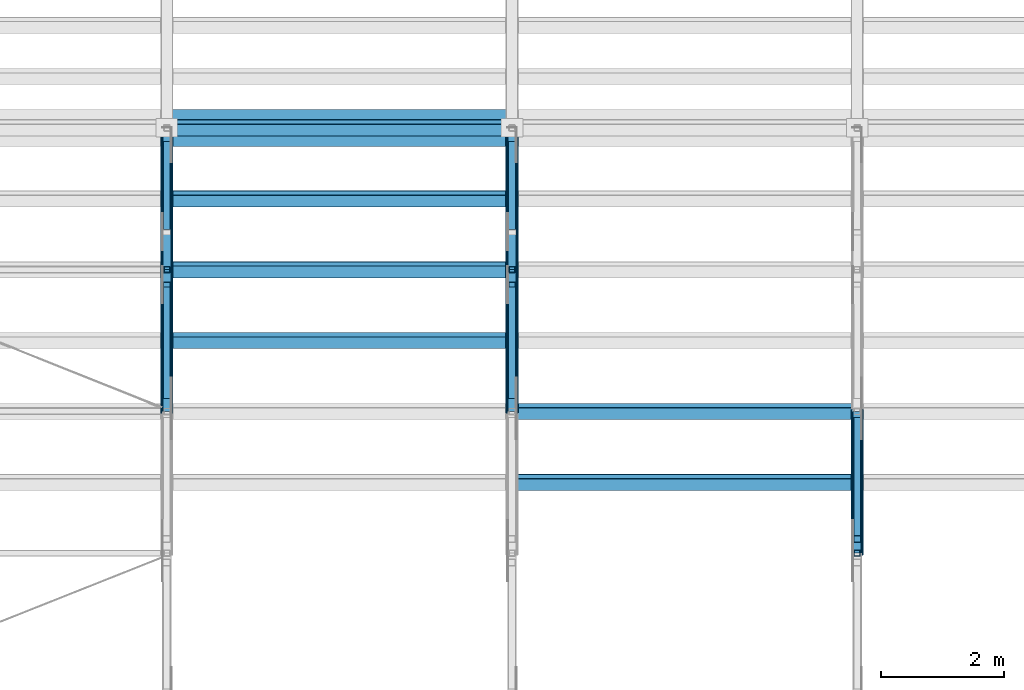
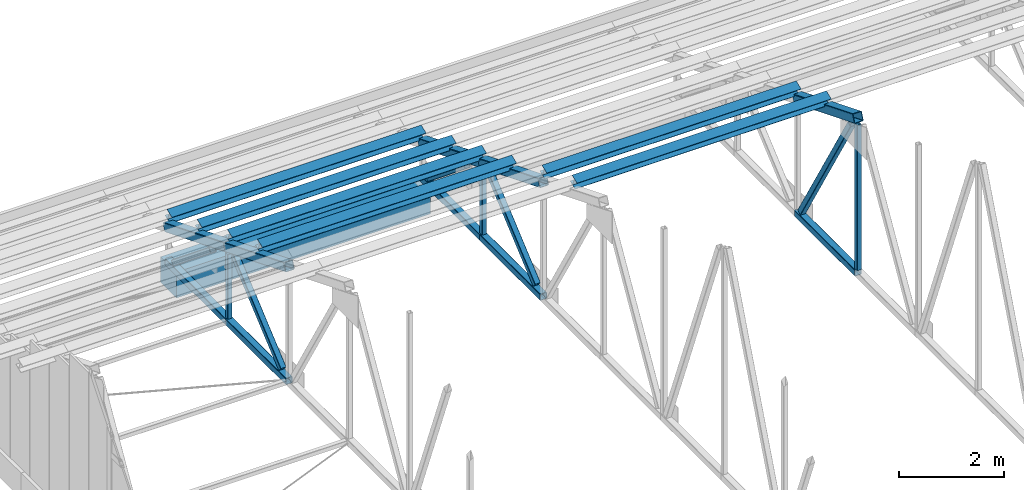
# One storey, part 13 of 71: 24 members, 1 beam.
"""IFC4 building model written with IfcOpenShell, lengths in metres."""

import ifcopenshell
import ifcopenshell.guid

model = None  # the IFC model being written
_history = None  # IfcOwnerHistory: only IFC2X3 demands one
_inside = {}  # id of a spatial element -> (the spatial element, [elements in it])
_under = {}  # id of a project, library or spatial element -> (it, [spatial elements below it])
_declared = {}  # id of a project -> (the project, [libraries it declares])
_typed = {}  # id of a type object -> (the type object, [elements of that type])
_made_of = {}  # id of a material, layer set ... -> (it, [elements and type objects made of it])


def new_model(schema):
    """Start an empty IFC model of exactly this schema.

    Asked for "IFC4X3", IfcOpenShell would pick the latest addendum, in which some entities
    have other attributes; the version numbers below select the first issue.
    IFC2X3 requires an IfcOwnerHistory on every rooted entity: one is made here for all.
    """
    global model, _history
    if schema == "IFC4X3":
        model = ifcopenshell.file(schema_version=(4, 3, 0, 0))
    else:
        model = ifcopenshell.file(schema=schema)
    _inside.clear()
    _under.clear()
    _declared.clear()
    _typed.clear()
    _made_of.clear()
    _history = None
    if model.schema == "IFC2X3":
        org = make("IfcOrganization", Name="unknown")
        user = make(
            "IfcPersonAndOrganization",
            ThePerson=make("IfcPerson", FamilyName="unknown"),
            TheOrganization=org,
        )
        app = make(
            "IfcApplication",
            ApplicationDeveloper=org,
            Version="unknown",
            ApplicationFullName="unknown",
            ApplicationIdentifier="unknown",
        )
        _history = make(
            "IfcOwnerHistory",
            OwningUser=user,
            OwningApplication=app,
            ChangeAction="ADDED",
            CreationDate=0,
        )
    return model


def make(cls, **values):
    """One entity of the class cls with the attributes given. An attribute that is None is left unset."""
    return model.create_entity(
        cls, **{name: value for name, value in values.items() if value is not None}
    )


def rooted(cls, **values):
    """An entity with a GlobalId (a new one), such as an element, a storey or a relation."""
    return make(cls, GlobalId=ifcopenshell.guid.new(), OwnerHistory=_history, **values)


def si_unit(unit_type, name, prefix=None):
    """IfcSIUnit, for example si_unit("LENGTHUNIT", "METRE", prefix="MILLI")."""
    return make("IfcSIUnit", UnitType=unit_type, Prefix=prefix, Name=name)


def assignment(units):
    """IfcUnitAssignment: the units of a project."""
    return None if units is None else make("IfcUnitAssignment", Units=units)


def point(xyz):
    """IfcCartesianPoint."""
    return None if xyz is None else make("IfcCartesianPoint", Coordinates=xyz)


def direction(xyz):
    """IfcDirection."""
    return None if xyz is None else make("IfcDirection", DirectionRatios=xyz)


def frame(location, z_axis=None, x_axis=None):
    """IfcAxis2Placement3D, a coordinate frame: its origin and axes. An axis left out is left unset."""
    return make(
        "IfcAxis2Placement3D",
        Location=point(location),
        Axis=direction(z_axis),
        RefDirection=direction(x_axis),
    )


def frame_2d(location, x_axis=None):
    """IfcAxis2Placement2D, a coordinate frame in the plane: its origin and x axis."""
    return make(
        "IfcAxis2Placement2D", Location=point(location), RefDirection=direction(x_axis)
    )


def origin():
    """The frame at (0, 0, 0) with its axes left unset."""
    return frame((0.0, 0.0, 0.0))


def origin_2d():
    """The frame at (0, 0) in the plane with its x axis left unset."""
    return frame_2d((0.0, 0.0))


def place(relative_to, where):
    """IfcLocalPlacement: puts the frame where relative to a parent placement (None: the world)."""
    return make(
        "IfcLocalPlacement", PlacementRelTo=relative_to, RelativePlacement=where
    )


def context(
    kind, dimensions, precision=None, world=None, true_north=None, identifier=None
):
    """IfcGeometricRepresentationContext, for example the 3D "Model" context."""
    return make(
        "IfcGeometricRepresentationContext",
        ContextIdentifier=identifier,
        ContextType=kind,
        CoordinateSpaceDimension=dimensions,
        Precision=precision,
        WorldCoordinateSystem=world,
        TrueNorth=true_north,
    )


def subcontext(parent, identifier, kind, view, scale=None):
    """IfcGeometricRepresentationSubContext, for example "Body" below "Model"."""
    return make(
        "IfcGeometricRepresentationSubContext",
        ContextIdentifier=identifier,
        ContextType=kind,
        ParentContext=parent,
        TargetScale=scale,
        TargetView=view,
    )


def project(units=None, contexts=None):
    """IfcProject with its units and contexts."""
    return rooted(
        "IfcProject",
        Name="project",
        RepresentationContexts=contexts,
        UnitsInContext=assignment(units),
    )


def spatial(cls, under=None, at=None, **own):
    """A site, building, storey or space (cls), placed at a placement, below another one or the project."""
    s = rooted(cls, ObjectPlacement=at, **own)
    if under is not None:
        _under.setdefault(under.id(), (under, []))[1].append(s)
    return s


def profile(cls, at=None, kind="AREA", **sizes):
    """A parametric profile (cls). Its sizes go by their IFC names, for example OverallWidth=200.0."""
    return make(cls, ProfileType=kind, Position=at, **sizes)


def rectangle(**sizes):
    """IfcRectangleProfileDef."""
    return profile("IfcRectangleProfileDef", **sizes)


def hollow_rectangle(**sizes):
    """IfcRectangleHollowProfileDef."""
    return profile("IfcRectangleHollowProfileDef", **sizes)


def i_section(**sizes):
    """IfcIShapeProfileDef."""
    return profile("IfcIShapeProfileDef", **sizes)


def extrude(swept, where, along, depth):
    """IfcExtrudedAreaSolid: the profile swept, set in the frame where, extruded along a direction by depth."""
    return make(
        "IfcExtrudedAreaSolid",
        SweptArea=swept,
        Position=where,
        ExtrudedDirection=direction(along),
        Depth=depth,
    )


def shape(context_of_items, identifier, shape_type, items):
    """IfcShapeRepresentation: the items that make up one representation, for example the "Body"."""
    return make(
        "IfcShapeRepresentation",
        ContextOfItems=context_of_items,
        RepresentationIdentifier=identifier,
        RepresentationType=shape_type,
        Items=items,
    )


def material(Name=None, Category=None):
    """IfcMaterial."""
    return make("IfcMaterial", Name=Name, Category=Category)


def material_profile(
    of_material, cross_section, Name=None, Category=None, Priority=None
):
    """IfcMaterialProfile: a cross section and its material."""
    return make(
        "IfcMaterialProfile",
        Name=Name,
        Material=of_material,
        Profile=cross_section,
        Priority=Priority,
        Category=Category,
    )


def profile_set(profiles, Name=None, composite=None):
    """IfcMaterialProfileSet."""
    return make(
        "IfcMaterialProfileSet",
        Name=Name,
        MaterialProfiles=profiles,
        CompositeProfile=composite,
    )


def made_of(thing, what):
    """Note that an element or type object is made of a material, layer set ...; save() writes the relation."""
    if what is not None:
        _made_of.setdefault(what.id(), (what, []))[1].append(thing)
    return thing


def type_object(cls, material=None, **own):
    """A type object (cls), such as IfcWallType, which elements share."""
    return made_of(rooted(cls, **own), material)


def element(
    cls,
    number,
    at=None,
    inside=None,
    cuts=None,
    type_object=None,
    material=None,
    context=None,
    identifier="Body",
    shape_type=None,
    held_by="IfcProductDefinitionShape",
    body=None,
    shapes=None,
    **own,
):
    """One element of the class cls, such as IfcWall. Its Tag is "e" and its number.

    at: its placement. inside: the storey or other place that contains it. cuts: it is an
    opening in that element (IfcRelVoidsElement). A single representation is given by context,
    identifier, shape_type and body (its items); several are given by shapes. held_by: the class
    of the entity that holds the representations. save() writes the other relations.
    """
    e = rooted(cls, Tag="e%d" % number, ObjectPlacement=at, **own)
    if body is not None:
        shapes = [shape(context, identifier, shape_type, body)]
    if shapes is not None:
        e.Representation = make(held_by, Representations=shapes)
    if inside is not None:
        _inside.setdefault(inside.id(), (inside, []))[1].append(e)
    if cuts is not None:
        rooted(
            "IfcRelVoidsElement", RelatingBuildingElement=cuts, RelatedOpeningElement=e
        )
    if type_object is not None:
        _typed.setdefault(type_object.id(), (type_object, []))[1].append(e)
    return made_of(e, material)


def aggregate(whole, parts):
    """IfcRelAggregates: a whole, such as a stair, and the parts it consists of."""
    return rooted("IfcRelAggregates", RelatingObject=whole, RelatedObjects=parts)


def save(model, path):
    """Write the relations noted so far, then the file.

    IfcRelAggregates (storeys below a building ...), IfcRelContainedInSpatialStructure (elements
    in a storey), IfcRelDefinesByType, IfcRelAssociatesMaterial and IfcRelDeclares: one each for
    every whole, place, type object, material and project.
    """
    for whole, parts in _under.values():
        aggregate(whole, parts)
    for where, things in _inside.values():
        rooted(
            "IfcRelContainedInSpatialStructure",
            RelatedElements=things,
            RelatingStructure=where,
        )
    for kind, things in _typed.values():
        rooted("IfcRelDefinesByType", RelatedObjects=things, RelatingType=kind)
    for what, things in _made_of.values():
        rooted("IfcRelAssociatesMaterial", RelatedObjects=things, RelatingMaterial=what)
    for by, libraries in _declared.values():
        rooted("IfcRelDeclares", RelatingContext=by, RelatedDefinitions=libraries)
    model.write(path)


model = new_model("IFC4")

# Units and contexts
model_context = context("Model", 3, precision=1e-05, world=origin(), true_north=direction((0.0, 1.0)))
body_context = subcontext(model_context, "Body", "Model", "MODEL_VIEW")
ifc_project = project(units=[si_unit("LENGTHUNIT", "METRE"), si_unit("AREAUNIT", "SQUARE_METRE"), si_unit("VOLUMEUNIT", "CUBIC_METRE"), si_unit("PLANEANGLEUNIT", "RADIAN"), si_unit("MASSUNIT", "GRAM", prefix="KILO")], contexts=[model_context])

# Site, building, storey
site_placement = place(None, origin())
site = spatial("IfcSite", under=ifc_project, at=site_placement, CompositionType="ELEMENT")
building_placement = place(site_placement, origin())
building = spatial("IfcBuilding", under=site, at=building_placement, Name="Wasatch Bagh Community Centre", CompositionType="ELEMENT")
storey_placement = place(building_placement, frame((0.0, 0.0, 12.60009765625)))
storey = spatial("IfcBuildingStorey", under=building, at=storey_placement, Name="L03", CompositionType="ELEMENT", Elevation=12.60009765625)

# Members
ifc_material_1 = material(Name="ASTM A500 Grade C steel", Category="steel")
ifc_material_profile_1 = material_profile(ifc_material_1, hollow_rectangle(XDim=0.1015625, YDim=0.1015625, WallThickness=0.005859375, InnerFilletRadius=0.005859375, OuterFilletRadius=0.01171875, at=origin_2d()), Name="HSS4x4x1/4")
ifc_profile_set_1 = profile_set([ifc_material_profile_1], Name="ASTM A500 Grade C steel")
member_type_1 = type_object("IfcMemberType", Name="SH HSS4x4x1/4 post", PredefinedType="POST", material=ifc_profile_set_1)
for number, where, z_axis, x_axis, name in (
    (1, (117.800048828125, 63.5, 0.76220703125), (0.0, 0.0, 1.0), (1.0, 0.0, 0.0), "SH.SA2.PS12"),
    (2, (123.39990234375, 63.5, 0.76220703125), (0.0, 0.0, 1.0), (1.0, 0.0, 0.0), "SH.SA3.PS12"),
):
    element("IfcMember", number, at=place(storey_placement, frame(where, z_axis=z_axis, x_axis=x_axis)), inside=storey, type_object=member_type_1, Name=name, PredefinedType="POST", context=body_context, shape_type="SweptSolid", body=[
        extrude(hollow_rectangle(XDim=0.1015625, YDim=0.1015625, WallThickness=0.005859375, InnerFilletRadius=0.005859375, OuterFilletRadius=0.01171875, at=origin_2d()), origin(), (0.0, 0.0, 1.0), 1.504638671875),
    ])
member_1_placement = place(storey_placement, frame((129.0, 58.89990234375, 0.76220703125), z_axis=(0.0, 0.0, 1.0), x_axis=(1.0, 0.0, 0.0)))
element("IfcMember", 3, at=member_1_placement, inside=storey, type_object=member_type_1, Name="SH.SA4.PS10", PredefinedType="POST", context=body_context, shape_type="SweptSolid", body=[
    extrude(hollow_rectangle(XDim=0.1015625, YDim=0.1015625, WallThickness=0.005859375, InnerFilletRadius=0.005859375, OuterFilletRadius=0.01171875, at=origin_2d()), origin(), (0.0, 0.0, 1.0), 3.37890625),
])
ifc_material_profile_2 = material_profile(ifc_material_1, hollow_rectangle(XDim=0.126953125, YDim=0.126953125, WallThickness=0.00732421875, InnerFilletRadius=0.00732421875, OuterFilletRadius=0.0146484375, at=origin_2d()), Name="HSS5x5x5/16")
ifc_profile_set_2 = profile_set([ifc_material_profile_2], Name="ASTM A500 Grade C steel")
member_type_2 = type_object("IfcMemberType", Name="SH HSS5x5x5/16 brace", PredefinedType="BRACE", material=ifc_profile_set_2)
member_2_placement = place(storey_placement, frame((117.800048828125, 61.4501953125, 0.81103515625), z_axis=(0.0, 0.760719100191, 0.649081235751), x_axis=(-1.0, 0.0, 0.0)))
element("IfcMember", 4, at=member_2_placement, inside=storey, type_object=member_type_2, Name="SH.SA2.WB11", PredefinedType="BRACE", context=body_context, shape_type="SweptSolid", body=[
    extrude(hollow_rectangle(XDim=0.126953125, YDim=0.126953125, WallThickness=0.00732421875, InnerFilletRadius=0.00732421875, OuterFilletRadius=0.0146484375, at=origin_2d()), origin(), (0.0, 0.0, 1.0), 2.377197265625),
])
member_3_placement = place(storey_placement, frame((117.800048828125, 65.541259765625, 0.81201171875), z_axis=(0.0, -0.775829568588, 0.630942533441), x_axis=(1.0, 0.0, 0.0)))
element("IfcMember", 5, at=member_3_placement, inside=storey, type_object=member_type_2, Name="SH.SA2.WB12", PredefinedType="BRACE", context=body_context, shape_type="SweptSolid", body=[
    extrude(hollow_rectangle(XDim=0.126953125, YDim=0.126953125, WallThickness=0.00732421875, InnerFilletRadius=0.00732421875, OuterFilletRadius=0.0146484375, at=origin_2d()), origin(), (0.0, 0.0, 1.0), 1.83837890625),
])
member_4_placement = place(storey_placement, frame((123.39990234375, 61.4501953125, 0.81103515625), z_axis=(0.0, 0.760719100191, 0.649081235751), x_axis=(-1.0, 0.0, 0.0)))
element("IfcMember", 6, at=member_4_placement, inside=storey, type_object=member_type_2, Name="SH.SA3.WB11", PredefinedType="BRACE", context=body_context, shape_type="SweptSolid", body=[
    extrude(hollow_rectangle(XDim=0.126953125, YDim=0.126953125, WallThickness=0.00732421875, InnerFilletRadius=0.00732421875, OuterFilletRadius=0.0146484375, at=origin_2d()), origin(), (0.0, 0.0, 1.0), 2.377197265625),
])
member_5_placement = place(storey_placement, frame((123.39990234375, 65.541259765625, 0.81201171875), z_axis=(0.0, -0.775829568588, 0.630942533441), x_axis=(1.0, 0.0, 0.0)))
element("IfcMember", 7, at=member_5_placement, inside=storey, type_object=member_type_2, Name="SH.SA3.WB12", PredefinedType="BRACE", context=body_context, shape_type="SweptSolid", body=[
    extrude(hollow_rectangle(XDim=0.126953125, YDim=0.126953125, WallThickness=0.00732421875, InnerFilletRadius=0.00732421875, OuterFilletRadius=0.0146484375, at=origin_2d()), origin(), (0.0, 0.0, 1.0), 1.83837890625),
])
member_6_placement = place(storey_placement, frame((129.0, 61.046142578125, 0.795166015625), z_axis=(0.0, -0.5113669513, 0.859362462014), x_axis=(1.0, 0.0, 0.0)))
element("IfcMember", 8, at=member_6_placement, inside=storey, type_object=member_type_2, Name="SH.SA4.WB10", PredefinedType="BRACE", context=body_context, shape_type="SweptSolid", body=[
    extrude(hollow_rectangle(XDim=0.126953125, YDim=0.126953125, WallThickness=0.00732421875, InnerFilletRadius=0.00732421875, OuterFilletRadius=0.0146484375, at=origin_2d()), origin(), (0.0, 0.0, 1.0), 3.744873046875),
])
ifc_material_profile_3 = material_profile(ifc_material_1, hollow_rectangle(XDim=0.15234375, YDim=0.15234375, WallThickness=0.0087890625, InnerFilletRadius=0.0087890625, OuterFilletRadius=0.017822265625, at=origin_2d()), Name="HSS6x6x3/8")
ifc_profile_set_3 = profile_set([ifc_material_profile_3], Name="ASTM A500 Grade C steel")
member_type_3 = type_object("IfcMemberType", Name="SH HSS6x6x3/8 chord", PredefinedType="CHORD", material=ifc_profile_set_3)
for number, where, z_axis, x_axis, name in (
    (9, (117.800048828125, 61.199951171875, 0.68603515625), (0.0, 1.0, 0.0), (-1.0, 0.0, 0.0), "SH.SA2.BC11"),
    (10, (117.800048828125, 63.5, 0.68603515625), (0.0, 1.0, 0.0), (-1.0, 0.0, 0.0), "SH.SA2.BC12"),
    (11, (123.39990234375, 61.199951171875, 0.68603515625), (0.0, 1.0, 0.0), (-1.0, 0.0, 0.0), "SH.SA3.BC11"),
    (12, (123.39990234375, 63.5, 0.68603515625), (0.0, 1.0, 0.0), (-1.0, 0.0, 0.0), "SH.SA3.BC12"),
    (13, (129.0, 58.89990234375, 0.68603515625), (0.0, 1.0, 0.0), (-1.0, 0.0, 0.0), "SH.SA4.BC10"),
):
    element("IfcMember", number, at=place(storey_placement, frame(where, z_axis=z_axis, x_axis=x_axis)), inside=storey, type_object=member_type_3, Name=name, PredefinedType="CHORD", context=body_context, shape_type="SweptSolid", body=[
        extrude(hollow_rectangle(XDim=0.15234375, YDim=0.15234375, WallThickness=0.0087890625, InnerFilletRadius=0.0087890625, OuterFilletRadius=0.017822265625, at=origin_2d()), origin(), (0.0, 0.0, 1.0), 2.300048828125),
    ])
ifc_material_profile_4 = material_profile(ifc_material_1, hollow_rectangle(XDim=0.203125, YDim=0.203125, WallThickness=0.01171875, InnerFilletRadius=0.01171875, OuterFilletRadius=0.023681640625, at=origin_2d()), Name="HSS8x8x1/2")
ifc_profile_set_4 = profile_set([ifc_material_profile_4], Name="ASTM A500 Grade C steel")
member_type_4 = type_object("IfcMemberType", Name="SH HSS8x8x1/2 chord", PredefinedType="CHORD", material=ifc_profile_set_4)
for number, where, z_axis, x_axis, name in (
    (14, (117.800048828125, 61.200439453125, 3.358642578125), (0.0, 0.927174106992, -0.374630718605), (-1.0, 0.0, 0.0), "SH.SA2.TC12"),
    (15, (117.800048828125, 63.50048828125, 2.429443359375), (0.0, 0.927174106992, -0.374630718605), (-1.0, 0.0, 0.0), "SH.SA2.TC13"),
    (16, (123.39990234375, 61.200439453125, 3.358642578125), (0.0, 0.927174106992, -0.374630718605), (-1.0, 0.0, 0.0), "SH.SA3.TC12"),
    (17, (123.39990234375, 63.50048828125, 2.429443359375), (0.0, 0.927174106992, -0.374630718605), (-1.0, 0.0, 0.0), "SH.SA3.TC13"),
):
    element("IfcMember", number, at=place(storey_placement, frame(where, z_axis=z_axis, x_axis=x_axis)), inside=storey, type_object=member_type_4, Name=name, PredefinedType="CHORD", context=body_context, shape_type="SweptSolid", body=[
        extrude(hollow_rectangle(XDim=0.203125, YDim=0.203125, WallThickness=0.01171875, InnerFilletRadius=0.01171875, OuterFilletRadius=0.023681640625, at=origin_2d()), origin(), (0.0, 0.0, 1.0), 2.479736328125),
    ])
member_7_placement = place(storey_placement, frame((129.0, 58.900390625, 4.287841796875), z_axis=(0.0, 0.92720830339, -0.374546074769), x_axis=(-1.0, 0.0, 0.0)))
element("IfcMember", 18, at=member_7_placement, inside=storey, type_object=member_type_4, Name="SH.SA4.TC11", PredefinedType="CHORD", context=body_context, shape_type="SweptSolid", body=[
    extrude(hollow_rectangle(XDim=0.203125, YDim=0.203125, WallThickness=0.01171875, InnerFilletRadius=0.01171875, OuterFilletRadius=0.023681640625, at=origin_2d()), origin(), (0.0, 0.0, 1.0), 2.4794921875),
])

# Beam
ifc_material_2 = material(Name="Concrete C40", Category="concrete")
ifc_material_profile_5 = material_profile(ifc_material_2, rectangle(XDim=0.60009765625, YDim=0.60009765625, at=origin_2d()), Name="RC 600x600")
ifc_profile_set_5 = profile_set([ifc_material_profile_5], Name="Concrete C40")
beam_type = type_object("IfcBeamType", Name="SH RC 600x600 beam", PredefinedType="BEAM", material=ifc_profile_set_5)
beam_placement = place(storey_placement, frame((117.800048828125, 65.800048828125, 0.2998046875), z_axis=(1.0, 0.0, 0.0), x_axis=(0.0, 1.0, 0.0)))
element("IfcBeam", 19, at=beam_placement, inside=storey, type_object=beam_type, Name="SH.beam.L03.ring08", PredefinedType="BEAM", context=body_context, shape_type="SweptSolid", body=[
    extrude(rectangle(XDim=0.60009765625, YDim=0.60009765625, at=origin_2d()), origin(), (0.0, 0.0, 1.0), 5.599853515625),
])

# Members
ifc_material_3 = material(Name="ASTM A992 Grade 50 steel", Category="steel")
ifc_material_profile_6 = material_profile(ifc_material_3, i_section(OverallWidth=0.203125, OverallDepth=0.203125, WebThickness=0.00732421875, FlangeThickness=0.010986328125, at=origin_2d()), Name="W8x31")
ifc_profile_set_6 = profile_set([ifc_material_profile_6], Name="ASTM A992 Grade 50 steel")
member_type_5 = type_object("IfcMemberType", Name="SH W8x31 purlin", PredefinedType="PURLIN", material=ifc_profile_set_6)
for number, where, z_axis, x_axis, name in (
    (20, (117.800048828125, 62.35009765625, 3.11328125), (1.0, 0.0, 0.0), (0.0, 0.927183854567, 0.374606593416), "SH.PUR.b2.PU25"),
    (21, (117.800048828125, 63.5, 2.648681640625), (1.0, 0.0, 0.0), (0.0, 0.927183854567, 0.374606593416), "SH.PUR.b2.PU26"),
    (22, (117.800048828125, 64.64990234375, 2.18408203125), (1.0, 0.0, 0.0), (0.0, 0.927183854567, 0.374606593416), "SH.PUR.b2.PU27"),
    (23, (117.800048828125, 65.800048828125, 1.719482421875), (1.0, 0.0, 0.0), (0.0, 0.927183854567, 0.374606593416), "SH.PUR.b2.PU28"),
):
    element("IfcMember", number, at=place(storey_placement, frame(where, z_axis=z_axis, x_axis=x_axis)), inside=storey, type_object=member_type_5, Name=name, PredefinedType="PURLIN", context=body_context, shape_type="SweptSolid", body=[
        extrude(i_section(OverallWidth=0.203125, OverallDepth=0.203125, WebThickness=0.00732421875, FlangeThickness=0.010986328125, at=origin_2d()), origin(), (0.0, 0.0, 1.0), 5.599853515625),
    ])
for number, where, z_axis, x_axis, name in (
    (24, (123.39990234375, 60.050048828125, 4.042724609375), (1.0, 0.0, 0.0), (0.0, 0.927183854567, 0.374606593416), "SH.PUR.b3.PU23"),
    (25, (123.39990234375, 61.199951171875, 3.577880859375), (1.0, 0.0, 0.0), (0.0, 0.927183854567, 0.374606593416), "SH.PUR.b3.PU24"),
):
    element("IfcMember", number, at=place(storey_placement, frame(where, z_axis=z_axis, x_axis=x_axis)), inside=storey, type_object=member_type_5, Name=name, PredefinedType="PURLIN", context=body_context, shape_type="SweptSolid", body=[
        extrude(i_section(OverallWidth=0.203125, OverallDepth=0.203125, WebThickness=0.00732421875, FlangeThickness=0.010986328125, at=origin_2d()), origin(), (0.0, 0.0, 1.0), 5.60009765625),
    ])

save(model, "model.ifc")
